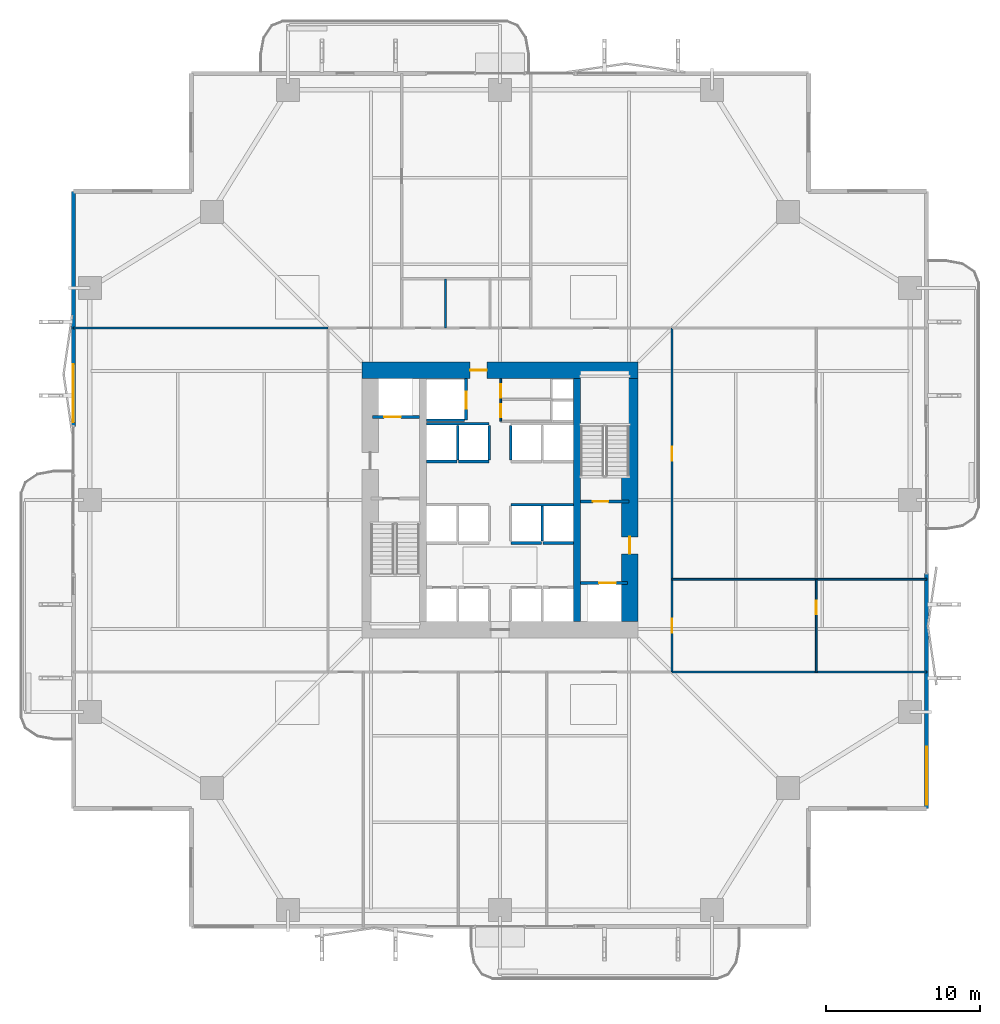
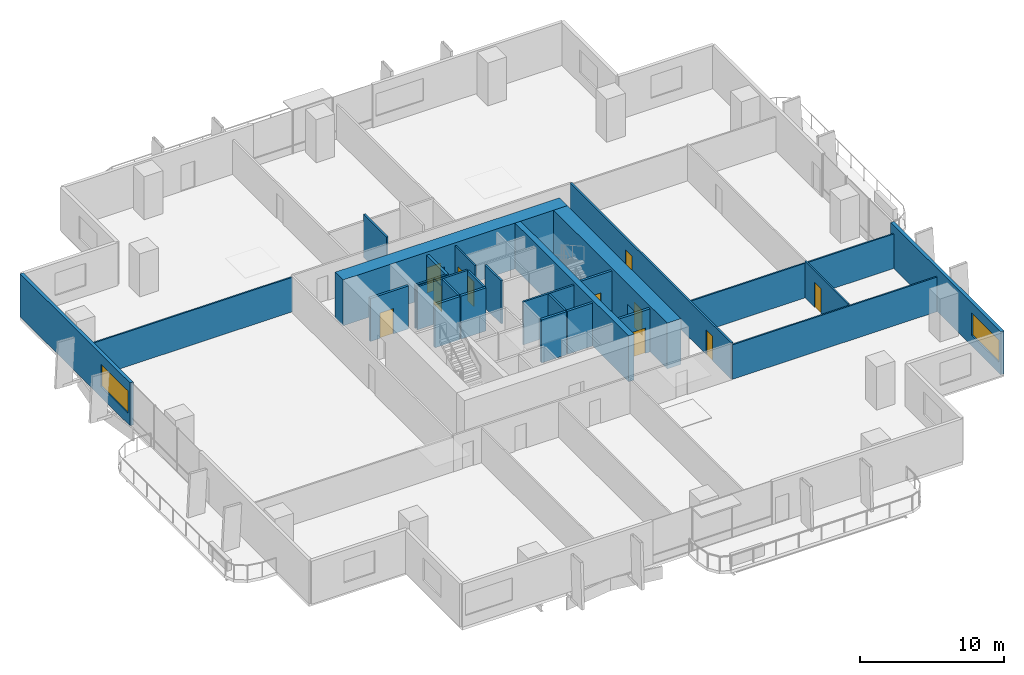
# One storey, part 18 of 24: 27 walls, 11 doors, 2 windows, 13 openings.
"""IFC4 building model written with IfcOpenShell, lengths in metres."""

from ifc_helpers import new_model, si_unit, direction, frame, frame_2d, origin, place, context, subcontext, project, spatial, rectangle, extrude, material, layer, layer_set, type_object, element, fill, save


model = new_model("IFC4")

# Units and contexts
model_context = context("Model", 3, precision=1e-05, world=origin(), true_north=direction((0.0, 1.0)))
body_context = subcontext(model_context, "Body", "Model", "MODEL_VIEW")
ifc_project = project(units=[si_unit("LENGTHUNIT", "METRE"), si_unit("AREAUNIT", "SQUARE_METRE"), si_unit("VOLUMEUNIT", "CUBIC_METRE"), si_unit("PLANEANGLEUNIT", "RADIAN"), si_unit("MASSUNIT", "GRAM", prefix="KILO")], contexts=[model_context])

# Site, building, storey
site_placement = place(None, origin())
site = spatial("IfcSite", under=ifc_project, at=site_placement, CompositionType="ELEMENT")
building_placement = place(site_placement, origin())
building = spatial("IfcBuilding", under=site, at=building_placement, Name="Belovzor Exchange Tower", CompositionType="ELEMENT")
storey_placement = place(building_placement, frame((0.0, 0.0, 69.0)))
storey = spatial("IfcBuildingStorey", under=building, at=storey_placement, Name="L16", CompositionType="ELEMENT", Elevation=69.0)

# Walls
ifc_material_1 = material(Name="Acoustic Plasterboard on Galvanised Studs", Category="gypsum")
ifc_layer_1 = layer(ifc_material_1, 0.1201171875)
ifc_layer_set_1 = layer_set([ifc_layer_1], Name="Acoustic Plasterboard on Galvanised Studs")
wall_type_1 = type_object("IfcWallType", Name="Acoustic Double-Stud Partition Wall 120", PredefinedType="PARTITIONING", material=ifc_layer_set_1)
for number, where, z_axis, x_axis, name in (
    (1, (40.0, 17.60009765625, 0.0), (0.0, 0.0, 1.0), (1.0, 0.0, 0.0), "W-P120 Partition Wall W-L16-END-SE"),
    (2, (1.030029296875, 40.0, 0.0), (0.0, 0.0, 1.0), (1.0, 0.0, 0.0), "W-P120 Partition Wall W-L16-END-NW"),
):
    element("IfcWall", number, at=place(storey_placement, frame(where, z_axis=z_axis, x_axis=x_axis)), inside=storey, type_object=wall_type_1, Name=name, PredefinedType="PARTITIONING", context=body_context, shape_type="SweptSolid", body=[
        extrude(rectangle(XDim=16.570068359375, YDim=0.1201171875, at=frame_2d((8.28515625, 0.0))), origin(), (0.0, 0.0, 1.0), 2.93505859375),
    ])

# Wall, opening, door
wall_1_placement = place(storey_placement, frame((49.387939453125, 17.60009765625, 0.0), z_axis=(0.0, 0.0, 1.0), x_axis=(0.0, 1.0, 0.0)))
wall_1 = element("IfcWall", 3, at=wall_1_placement, inside=storey, type_object=wall_type_1, Name="W-P120 Partition Wall W-L16-EHDIV-0", PredefinedType="PARTITIONING", context=body_context, shape_type="SweptSolid", body=[
    extrude(rectangle(XDim=6.037841796875, YDim=0.1201171875, at=frame_2d((3.01904296875, 0.0))), origin(), (0.0, 0.0, 1.0), 3.0849609375),
])
opening_1_placement = place(wall_1_placement, frame((3.7529296875, 0.0, 0.0)))
opening_1 = element("IfcOpeningElement", 4, at=opening_1_placement, cuts=wall_1, Name="Opening D-INT-090", PredefinedType="OPENING", context=body_context, shape_type="SweptSolid", body=[
    extrude(rectangle(XDim=0.89990234375, YDim=2.10009765625, at=frame_2d((0.449951171875, 1.050048828125))), frame((0.0, 0.070068359375, 0.0), z_axis=(0.0, -1.0, 0.0), x_axis=(1.0, 0.0, 0.0)), (0.0, 0.0, 1.0), 0.14013671875),
])
ifc_material_2 = material(Name="Veneered Hardwood Acoustic Leaf", Category="wood")
door_type_1 = type_object("IfcDoorType", Name="Trading Suite Acoustic Single Door 900x2100", OperationType="NOTDEFINED", PredefinedType="DOOR", material=ifc_material_2)
door_1_placement = place(opening_1_placement, origin())
door_1 = element("IfcDoor", 5, at=door_1_placement, inside=storey, type_object=door_type_1, Name="D-INT-090 Trading Suite Acoustic Single Door 900x2100", OperationType="SINGLE_SWING_RIGHT", OverallHeight=2.10009765625, OverallWidth=0.89990234375, PredefinedType="DOOR", context=body_context, shape_type="SweptSolid", body=[
    extrude(rectangle(XDim=0.89990234375, YDim=2.10009765625, at=frame_2d((0.449951171875, 1.050048828125))), frame((0.0, 0.02490234375, 0.0), z_axis=(0.0, -1.0, 0.0), x_axis=(1.0, 0.0, 0.0)), (0.0, 0.0, 1.0), 0.050048828125),
])
fill(opening_1, door_1)

# Wall
wall_2_placement = place(storey_placement, frame((40.0, 23.637939453125, 0.0), z_axis=(0.0, 0.0, 1.0), x_axis=(1.0, 0.0, 0.0)))
element("IfcWall", 6, at=wall_2_placement, inside=storey, type_object=wall_type_1, Name="W-P120 Partition Wall W-L16-EDIV-1", PredefinedType="PARTITIONING", context=body_context, shape_type="SweptSolid", body=[
    extrude(rectangle(XDim=16.570068359375, YDim=0.1201171875, at=frame_2d((8.28515625, 0.0))), origin(), (0.0, 0.0, 1.0), 2.93505859375),
])

# Wall, openings, doors
ifc_material_3 = material(Name="Fire-Rated Plasterboard on Galvanised Studs", Category="gypsum")
ifc_layer_2 = layer(ifc_material_3, 0.1201171875)
ifc_layer_set_2 = layer_set([ifc_layer_2], Name="Fire-Rated Plasterboard on Galvanised Studs")
wall_type_2 = type_object("IfcWallType", Name="Fire-Rated Double-Stud Partition Wall 120", PredefinedType="PARTITIONING", material=ifc_layer_set_2)
wall_3_placement = place(storey_placement, frame((28.85009765625, 33.925048828125, 0.0), z_axis=(0.0, 0.0, 1.0), x_axis=(0.0, 1.0, 0.0)))
wall_3 = element("IfcWall", 7, at=wall_3_placement, inside=storey, type_object=wall_type_2, Name="W-P120F Partition Wall W-CRV-L16-W", PredefinedType="PARTITIONING", context=body_context, shape_type="SweptSolid", body=[
    extrude(rectangle(XDim=2.77490234375, YDim=0.1201171875, at=frame_2d((1.387451171875, 0.0))), origin(), (0.0, 0.0, 1.0), 3.64990234375),
])
opening_2_placement = place(wall_3_placement, frame((0.25, 0.0, 0.0)))
opening_2 = element("IfcOpeningElement", 8, at=opening_2_placement, cuts=wall_3, Name="Opening D-FD60-085", PredefinedType="OPENING", context=body_context, shape_type="SweptSolid", body=[
    extrude(rectangle(XDim=0.85009765625, YDim=2.10009765625, at=frame_2d((0.425048828125, 1.050048828125))), frame((0.0, 0.070068359375, 0.0), z_axis=(0.0, -1.0, 0.0), x_axis=(1.0, 0.0, 0.0)), (0.0, 0.0, 1.0), 0.14013671875),
])
opening_3_placement = place(wall_3_placement, frame((1.544921875, 0.0, 0.0)))
opening_3 = element("IfcOpeningElement", 9, at=opening_3_placement, cuts=wall_3, Name="Opening D-FD60-085", PredefinedType="OPENING", context=body_context, shape_type="SweptSolid", body=[
    extrude(rectangle(XDim=0.85009765625, YDim=2.10009765625, at=frame_2d((0.425048828125, 1.050048828125))), frame((0.0, 0.070068359375, 0.0), z_axis=(0.0, -1.0, 0.0), x_axis=(1.0, 0.0, 0.0)), (0.0, 0.0, 1.0), 0.14013671875),
])
ifc_material_4 = material(Name="Fire-Rated Steel Access Leaf", Category="steel")
door_type_2 = type_object("IfcDoorType", Name="Riser & Meter Closet Access Fire Door 850x2100", OperationType="NOTDEFINED", PredefinedType="DOOR", material=ifc_material_4)
door_2_placement = place(opening_2_placement, origin())
door_2 = element("IfcDoor", 10, at=door_2_placement, inside=storey, type_object=door_type_2, Name="D-FD60-085 Riser & Meter Closet Access Fire Door 850x2100", OperationType="SINGLE_SWING_LEFT", OverallHeight=2.10009765625, OverallWidth=0.85009765625, PredefinedType="DOOR", context=body_context, shape_type="SweptSolid", body=[
    extrude(rectangle(XDim=0.85009765625, YDim=2.10009765625, at=frame_2d((0.425048828125, 1.050048828125))), frame((0.0, 0.02490234375, 0.0), z_axis=(0.0, -1.0, 0.0), x_axis=(1.0, 0.0, 0.0)), (0.0, 0.0, 1.0), 0.050048828125),
])
fill(opening_2, door_2)
door_3_placement = place(opening_3_placement, origin())
door_3 = element("IfcDoor", 11, at=door_3_placement, inside=storey, type_object=door_type_2, Name="D-FD60-085 Riser & Meter Closet Access Fire Door 850x2100", OperationType="SINGLE_SWING_RIGHT", OverallHeight=2.10009765625, OverallWidth=0.85009765625, PredefinedType="DOOR", context=body_context, shape_type="SweptSolid", body=[
    extrude(rectangle(XDim=0.85009765625, YDim=2.10009765625, at=frame_2d((0.425048828125, 1.050048828125))), frame((0.0, 0.02490234375, 0.0), z_axis=(0.0, -1.0, 0.0), x_axis=(1.0, 0.0, 0.0)), (0.0, 0.0, 1.0), 0.050048828125),
])
fill(opening_3, door_3)

# Wall
ifc_material_5 = material(Name="Fire-Rated Gypsum Block and Mineral Wool", Category="gypsum")
ifc_layer_3 = layer(ifc_material_5, 0.14990234375)
ifc_layer_set_3 = layer_set([ifc_layer_3], Name="Fire-Rated Gypsum Block and Mineral Wool")
wall_type_3 = type_object("IfcWallType", Name="Fire-Rated Gypsum Block Corridor Wall 150", PredefinedType="PARTITIONING", material=ifc_layer_set_3)
wall_4_placement = place(storey_placement, frame((25.25, 40.0, 0.0), z_axis=(0.0, 0.0, 1.0), x_axis=(0.0, 1.0, 0.0)))
element("IfcWall", 12, at=wall_4_placement, inside=storey, type_object=wall_type_3, Name="W-P150 Partition Wall W-L16-WCD1", PredefinedType="PARTITIONING", context=body_context, shape_type="SweptSolid", body=[
    extrude(rectangle(XDim=3.199951171875, YDim=0.14990234375, at=frame_2d((1.60009765625, 0.0))), origin(), (0.0, 0.0, 1.0), 3.64990234375),
])

# Wall, openings, doors
wall_5_placement = place(storey_placement, frame((40.0, 17.60009765625, 0.0), z_axis=(0.0, 0.0, 1.0), x_axis=(0.0, 1.0, 0.0)))
wall_5 = element("IfcWall", 13, at=wall_5_placement, inside=storey, type_object=wall_type_3, Name="W-P150 Partition Wall W-L16-CE", PredefinedType="PARTITIONING", context=body_context, shape_type="SweptSolid", body=[
    extrude(rectangle(XDim=22.39990234375, YDim=0.14990234375, at=frame_2d((11.199951171875, 0.0))), origin(), (0.0, 0.0, 1.0), 3.0849609375),
])
opening_4_placement = place(wall_5_placement, frame((2.569091796875, 0.0, 0.0)))
opening_4 = element("IfcOpeningElement", 14, at=opening_4_placement, cuts=wall_5, Name="Opening D-INT-090", PredefinedType="OPENING", context=body_context, shape_type="SweptSolid", body=[
    extrude(rectangle(XDim=0.89990234375, YDim=2.10009765625, at=frame_2d((0.449951171875, 1.050048828125))), frame((0.0, 0.0849609375, 0.0), z_axis=(0.0, -1.0, 0.0), x_axis=(1.0, 0.0, 0.0)), (0.0, 0.0, 1.0), 0.169921875),
])
opening_5_placement = place(wall_5_placement, frame((13.76904296875, 0.0, 0.0)))
opening_5 = element("IfcOpeningElement", 15, at=opening_5_placement, cuts=wall_5, Name="Opening D-INT-090", PredefinedType="OPENING", context=body_context, shape_type="SweptSolid", body=[
    extrude(rectangle(XDim=0.89990234375, YDim=2.10009765625, at=frame_2d((0.449951171875, 1.050048828125))), frame((0.0, 0.0849609375, 0.0), z_axis=(0.0, -1.0, 0.0), x_axis=(1.0, 0.0, 0.0)), (0.0, 0.0, 1.0), 0.169921875),
])
door_4_placement = place(opening_4_placement, origin())
door_4 = element("IfcDoor", 16, at=door_4_placement, inside=storey, type_object=door_type_1, Name="D-INT-090 Trading Suite Acoustic Single Door 900x2100", OperationType="SINGLE_SWING_LEFT", OverallHeight=2.10009765625, OverallWidth=0.89990234375, PredefinedType="DOOR", context=body_context, shape_type="SweptSolid", body=[
    extrude(rectangle(XDim=0.89990234375, YDim=2.10009765625, at=frame_2d((0.449951171875, 1.050048828125))), frame((0.0, 0.02490234375, 0.0), z_axis=(0.0, -1.0, 0.0), x_axis=(1.0, 0.0, 0.0)), (0.0, 0.0, 1.0), 0.050048828125),
])
fill(opening_4, door_4)
door_5_placement = place(opening_5_placement, origin())
door_5 = element("IfcDoor", 17, at=door_5_placement, inside=storey, type_object=door_type_1, Name="D-INT-090 Trading Suite Acoustic Single Door 900x2100", OperationType="SINGLE_SWING_RIGHT", OverallHeight=2.10009765625, OverallWidth=0.89990234375, PredefinedType="DOOR", context=body_context, shape_type="SweptSolid", body=[
    extrude(rectangle(XDim=0.89990234375, YDim=2.10009765625, at=frame_2d((0.449951171875, 1.050048828125))), frame((0.0, 0.02490234375, 0.0), z_axis=(0.0, -1.0, 0.0), x_axis=(1.0, 0.0, 0.0)), (0.0, 0.0, 1.0), 0.050048828125),
])
fill(opening_5, door_5)

# Wall, opening, window
ifc_material_6 = material(Name="Precast concrete C40/50", Category="concrete")
ifc_layer_4 = layer(ifc_material_6, 0.260009765625)
ifc_layer_set_4 = layer_set([ifc_layer_4], Name="Precast concrete C40/50")
wall_type_4 = type_object("IfcWallType", Name="Precast Concrete Perimeter Loggia Frame Wall 260", PredefinedType="SOLIDWALL", material=ifc_layer_set_4)
wall_6_placement = place(storey_placement, frame((1.030029296875, 33.60009765625, 0.0), z_axis=(0.0, 0.0, 1.0), x_axis=(0.0, 1.0, 0.0)))
wall_6 = element("IfcWall", 18, at=wall_6_placement, inside=storey, type_object=wall_type_4, Name="W-EXT260 Precast Concrete Perimeter Loggia Frame Wall 260 L16", PredefinedType="SOLIDWALL", context=body_context, shape_type="SweptSolid", body=[
    extrude(rectangle(XDim=15.2998046875, YDim=0.260009765625, at=frame_2d((7.64990234375, 0.0))), origin(), (0.0, 0.0, 1.0), 3.64990234375),
])
opening_6_placement = place(wall_6_placement, frame((0.25, 0.0, 0.89990234375)))
opening_6 = element("IfcOpeningElement", 19, at=opening_6_placement, cuts=wall_6, Name="Opening WN-RIB380", PredefinedType="OPENING", context=body_context, shape_type="SweptSolid", body=[
    extrude(rectangle(XDim=3.800048828125, YDim=1.89990234375, at=frame_2d((1.89990234375, 0.949951171875))), frame((0.0, 0.139892578125, 0.0), z_axis=(0.0, -1.0, 0.0), x_axis=(1.0, 0.0, 0.0)), (0.0, 0.0, 1.0), 0.280029296875),
])
ifc_material_7 = material(Name="Thermally Broken Aluminium and Triple Glazing", Category="aluminium")
window_type = type_object("IfcWindowType", Name="Streamline Moderne Horizontal Ribbon Window 3800x1900", PartitioningType="SINGLE_PANEL", PredefinedType="WINDOW", material=ifc_material_7)
window_1_placement = place(opening_6_placement, origin())
window_1 = element("IfcWindow", 20, at=window_1_placement, inside=storey, type_object=window_type, Name="WN-RIB380 Streamline Moderne Horizontal Ribbon Window 3800x1900", OverallHeight=1.89990234375, OverallWidth=3.800048828125, PartitioningType="SINGLE_PANEL", PredefinedType="WINDOW", context=body_context, shape_type="SweptSolid", body=[
    extrude(rectangle(XDim=3.800048828125, YDim=1.89990234375, at=frame_2d((1.89990234375, 0.949951171875))), frame((0.0, 0.030029296875, 0.0), z_axis=(0.0, -1.0, 0.0), x_axis=(1.0, 0.0, 0.0)), (0.0, 0.0, 1.0), 0.06005859375),
])
fill(opening_6, window_1)

wall_7_placement = place(storey_placement, frame((56.570068359375, 24.0, 0.0), z_axis=(0.0, 0.0, 1.0), x_axis=(0.0, -1.0, 0.0)))
wall_7 = element("IfcWall", 21, at=wall_7_placement, inside=storey, type_object=wall_type_4, Name="W-EXT260 Precast Concrete Perimeter Loggia Frame Wall 260 L16", PredefinedType="SOLIDWALL", context=body_context, shape_type="SweptSolid", body=[
    extrude(rectangle(XDim=15.300048828125, YDim=0.260009765625, at=frame_2d((7.64990234375, 0.0))), origin(), (0.0, 0.0, 1.0), 3.64990234375),
])
opening_7_placement = place(wall_7_placement, frame((11.25, 0.0, 0.89990234375)))
opening_7 = element("IfcOpeningElement", 22, at=opening_7_placement, cuts=wall_7, Name="Opening WN-RIB380", PredefinedType="OPENING", context=body_context, shape_type="SweptSolid", body=[
    extrude(rectangle(XDim=3.800048828125, YDim=1.89990234375, at=frame_2d((1.89990234375, 0.949951171875))), frame((0.0, 0.139892578125, 0.0), z_axis=(0.0, -1.0, 0.0), x_axis=(1.0, 0.0, 0.0)), (0.0, 0.0, 1.0), 0.280029296875),
])
window_2_placement = place(opening_7_placement, origin())
window_2 = element("IfcWindow", 23, at=window_2_placement, inside=storey, type_object=window_type, Name="WN-RIB380 Streamline Moderne Horizontal Ribbon Window 3800x1900", OverallHeight=1.89990234375, OverallWidth=3.800048828125, PartitioningType="SINGLE_PANEL", PredefinedType="WINDOW", context=body_context, shape_type="SweptSolid", body=[
    extrude(rectangle(XDim=3.800048828125, YDim=1.89990234375, at=frame_2d((1.89990234375, 0.949951171875))), frame((0.0, 0.030029296875, 0.0), z_axis=(0.0, -1.0, 0.0), x_axis=(1.0, 0.0, 0.0)), (0.0, 0.0, 1.0), 0.06005859375),
])
fill(opening_7, window_2)

# Walls
ifc_material_8 = material(Name="Concrete C50/60", Category="concrete")
ifc_layer_5 = layer(ifc_material_8, 0.449951171875)
ifc_layer_set_5 = layer_set([ifc_layer_5], Name="Concrete C50/60")
wall_type_5 = type_object("IfcWallType", Name="Reinforced Concrete Core Internal Web Wall 450", PredefinedType="SHEAR", material=ifc_layer_set_5)
wall_8_placement = place(storey_placement, frame((33.824951171875, 20.89990234375, 0.0), z_axis=(0.0, 0.0, 1.0), x_axis=(0.0, 1.0, 0.0)))
element("IfcWall", 24, at=wall_8_placement, inside=storey, type_object=wall_type_5, Name="CW-W045 Core Internal Web Wall L16 ER", PredefinedType="SHEAR", context=body_context, shape_type="SweptSolid", body=[
    extrude(rectangle(XDim=15.800048828125, YDim=0.449951171875, at=frame_2d((7.89990234375, 0.0))), origin(), (0.0, 0.0, 1.0), 3.89990234375),
])
ifc_material_9 = material(Name="Concrete C50/60", Category="concrete")
ifc_layer_6 = layer(ifc_material_9, 0.14990234375)
ifc_layer_set_6 = layer_set([ifc_layer_6], Name="Concrete C50/60")
wall_type_6 = type_object("IfcWallType", Name="Reinforced Concrete Core Riser Shear Wall 150", PredefinedType="SHEAR", material=ifc_layer_set_6)
wall_9_placement = place(storey_placement, frame((24.0, 34.0, 0.0), z_axis=(0.0, 0.0, 1.0), x_axis=(1.0, 0.0, 0.0)))
element("IfcWall", 25, at=wall_9_placement, inside=storey, type_object=wall_type_6, Name="W-C150S Core Shaft Wall W-SH-L16-SL-01S", PredefinedType="SHEAR", context=body_context, shape_type="SweptSolid", body=[
    extrude(rectangle(XDim=2.47998046875, YDim=0.14990234375, at=frame_2d((1.239990234375, 0.0))), origin(), (0.0, 0.0, 1.0), 3.64990234375),
])
wall_10_placement = place(storey_placement, frame((29.5, 28.5, 0.0), z_axis=(0.0, 0.0, 1.0), x_axis=(1.0, 0.0, 0.0)))
element("IfcWall", 26, at=wall_10_placement, inside=storey, type_object=wall_type_6, Name="W-C150S Core Shaft Wall W-SHB-L16-PLM-NE", PredefinedType="SHEAR", context=body_context, shape_type="SweptSolid", body=[
    extrude(rectangle(XDim=4.080078125, YDim=0.14990234375, at=frame_2d((2.0400390625, 0.0))), origin(), (0.0, 0.0, 1.0), 3.64990234375),
])
wall_11_placement = place(storey_placement, frame((31.550048828125, 26.1201171875, 0.0), z_axis=(0.0, 0.0, 1.0), x_axis=(0.0, 1.0, 0.0)))
element("IfcWall", 27, at=wall_11_placement, inside=storey, type_object=wall_type_6, Name="W-C150S Core Shaft Wall W-SHD-L16-PLM-4", PredefinedType="SHEAR", context=body_context, shape_type="SweptSolid", body=[
    extrude(rectangle(XDim=2.27978515625, YDim=0.14990234375, at=frame_2d((1.139892578125, 0.0))), origin(), (0.0, 0.0, 1.0), 3.64990234375),
])
wall_12_placement = place(storey_placement, frame((24.02001953125, 33.760009765625, 0.0), z_axis=(0.0, 0.0, 1.0), x_axis=(1.0, 0.0, 0.0)))
element("IfcWall", 28, at=wall_12_placement, inside=storey, type_object=wall_type_6, Name="W-C150S Core Shaft Wall W-SHB-L16-PLH-NW", PredefinedType="SHEAR", context=body_context, shape_type="SweptSolid", body=[
    extrude(rectangle(XDim=4.080078125, YDim=0.14990234375, at=frame_2d((2.0400390625, 0.0))), origin(), (0.0, 0.0, 1.0), 3.64990234375),
])
for number, where, z_axis, x_axis, name in (
    (29, (26.050048828125, 31.419921875, 0.0), (0.0, 0.0, 1.0), (0.0, 1.0, 0.0), "W-C150S Core Shaft Wall W-SHD-L16-PLH-1"),
    (30, (28.10009765625, 31.419921875, 0.0), (0.0, 0.0, 1.0), (0.0, 1.0, 0.0), "W-C150S Core Shaft Wall W-SHD-L16-PLH-2"),
    (31, (29.5, 31.419921875, 0.0), (0.0, 0.0, 1.0), (0.0, 1.0, 0.0), "W-C150S Core Shaft Wall W-SHD-L16-PLH-3"),
):
    element("IfcWall", number, at=place(storey_placement, frame(where, z_axis=z_axis, x_axis=x_axis)), inside=storey, type_object=wall_type_6, Name=name, PredefinedType="SHEAR", context=body_context, shape_type="SweptSolid", body=[
        extrude(rectangle(XDim=2.239990234375, YDim=0.14990234375, at=frame_2d((1.1201171875, 0.0))), origin(), (0.0, 0.0, 1.0), 3.64990234375),
    ])

# Wall, opening, door
ifc_material_10 = material(Name="Concrete C50/60", Category="concrete")
ifc_layer_7 = layer(ifc_material_10, 0.199951171875)
ifc_layer_set_7 = layer_set([ifc_layer_7], Name="Concrete C50/60")
wall_type_7 = type_object("IfcWallType", Name="Reinforced Concrete Core Shaft Shear Wall 200", PredefinedType="SHEAR", material=ifc_layer_set_7)
wall_13_placement = place(storey_placement, frame((34.050048828125, 28.699951171875, 0.0), z_axis=(0.0, 0.0, 1.0), x_axis=(1.0, 0.0, 0.0)))
wall_13 = element("IfcWall", 32, at=wall_13_placement, inside=storey, type_object=wall_type_7, Name="W-C200S Core Shaft Wall W-CORE-L16-FFLE2", PredefinedType="SHEAR", context=body_context, shape_type="SweptSolid", body=[
    extrude(rectangle(XDim=3.14990234375, YDim=0.199951171875, at=frame_2d((1.574951171875, 0.0))), origin(), (0.0, 0.0, 1.0), 3.64990234375),
])
opening_8_placement = place(wall_13_placement, frame((0.800048828125, 0.0, 0.0)))
opening_8 = element("IfcOpeningElement", 33, at=opening_8_placement, cuts=wall_13, Name="Opening D-FD90-100", PredefinedType="OPENING", context=body_context, shape_type="SweptSolid", body=[
    extrude(rectangle(XDim=1.0, YDim=2.10009765625, at=frame_2d((0.5, 1.050048828125))), frame((0.0, 0.10986328125, 0.0), z_axis=(0.0, -1.0, 0.0), x_axis=(1.0, 0.0, 0.0)), (0.0, 0.0, 1.0), 0.219970703125),
])
ifc_material_11 = material(Name="Fire-Rated Galvanised Steel Leaf", Category="steel")
door_type_3 = type_object("IfcDoorType", Name="Protected Stairwell Single Fire Door 1000x2100", OperationType="NOTDEFINED", PredefinedType="DOOR", material=ifc_material_11)
door_6_placement = place(opening_8_placement, origin())
door_6 = element("IfcDoor", 34, at=door_6_placement, inside=storey, type_object=door_type_3, Name="D-FD90-100 Protected Stairwell Single Fire Door 1000x2100", OperationType="SINGLE_SWING_LEFT", OverallHeight=2.10009765625, OverallWidth=1.0, PredefinedType="DOOR", context=body_context, shape_type="SweptSolid", body=[
    extrude(rectangle(XDim=1.0, YDim=2.10009765625, at=frame_2d((0.5, 1.050048828125))), frame((0.0, 0.02490234375, 0.0), z_axis=(0.0, -1.0, 0.0), x_axis=(1.0, 0.0, 0.0)), (0.0, 0.0, 1.0), 0.050048828125),
])
fill(opening_8, door_6)

wall_14_placement = place(storey_placement, frame((20.5, 34.199951171875, 0.0), z_axis=(0.0, 0.0, 1.0), x_axis=(1.0, 0.0, 0.0)))
wall_14 = element("IfcWall", 35, at=wall_14_placement, inside=storey, type_object=wall_type_7, Name="W-C200S Core Shaft Wall W-SH-L16-FFL-01", PredefinedType="SHEAR", context=body_context, shape_type="SweptSolid", body=[
    extrude(rectangle(XDim=3.050048828125, YDim=0.199951171875, at=frame_2d((1.52490234375, 0.0))), origin(), (0.0, 0.0, 1.0), 3.64990234375),
])
opening_9_placement = place(wall_14_placement, frame((0.75, 0.0, 0.0)))
opening_9 = element("IfcOpeningElement", 36, at=opening_9_placement, cuts=wall_14, Name="Opening LD-110", PredefinedType="OPENING", context=body_context, shape_type="SweptSolid", body=[
    extrude(rectangle(XDim=1.10009765625, YDim=2.14990234375, at=frame_2d((0.550048828125, 1.074951171875))), frame((0.0, 0.10986328125, 0.0), z_axis=(0.0, -1.0, 0.0), x_axis=(1.0, 0.0, 0.0)), (0.0, 0.0, 1.0), 0.219970703125),
])
ifc_material_12 = material(Name="Stainless Steel Grade 304", Category="steel")
door_type_4 = type_object("IfcDoorType", Name="Automated Stainless Steel Lift Landing Door 1100x2150", OperationType="SLIDING_TO_RIGHT", PredefinedType="DOOR", material=ifc_material_12)
door_7_placement = place(opening_9_placement, origin())
door_7 = element("IfcDoor", 37, at=door_7_placement, inside=storey, type_object=door_type_4, Name="LD-110 Automated Stainless Steel Lift Landing Door 1100x2150", OperationType="SLIDING_TO_RIGHT", OverallHeight=2.14990234375, OverallWidth=1.10009765625, PredefinedType="DOOR", context=body_context, shape_type="SweptSolid", body=[
    extrude(rectangle(XDim=1.10009765625, YDim=2.14990234375, at=frame_2d((0.550048828125, 1.074951171875))), frame((0.0, 0.02490234375, 0.0), z_axis=(0.0, -1.0, 0.0), x_axis=(1.0, 0.0, 0.0)), (0.0, 0.0, 1.0), 0.050048828125),
])
fill(opening_9, door_7)

wall_15_placement = place(storey_placement, frame((34.050048828125, 23.39990234375, 0.0), z_axis=(0.0, 0.0, 1.0), x_axis=(1.0, 0.0, 0.0)))
wall_15 = element("IfcWall", 38, at=wall_15_placement, inside=storey, type_object=wall_type_7, Name="W-C200S Core Shaft Wall W-SH-L16-FFL-02", PredefinedType="SHEAR", context=body_context, shape_type="SweptSolid", body=[
    extrude(rectangle(XDim=3.050048828125, YDim=0.199951171875, at=frame_2d((1.52490234375, 0.0))), origin(), (0.0, 0.0, 1.0), 3.64990234375),
])
opening_10_placement = place(wall_15_placement, frame((1.199951171875, 0.0, 0.0)))
opening_10 = element("IfcOpeningElement", 39, at=opening_10_placement, cuts=wall_15, Name="Opening LD-110", PredefinedType="OPENING", context=body_context, shape_type="SweptSolid", body=[
    extrude(rectangle(XDim=1.10009765625, YDim=2.14990234375, at=frame_2d((0.550048828125, 1.074951171875))), frame((0.0, 0.10986328125, 0.0), z_axis=(0.0, -1.0, 0.0), x_axis=(1.0, 0.0, 0.0)), (0.0, 0.0, 1.0), 0.219970703125),
])
door_8_placement = place(opening_10_placement, origin())
door_8 = element("IfcDoor", 40, at=door_8_placement, inside=storey, type_object=door_type_4, Name="LD-110 Automated Stainless Steel Lift Landing Door 1100x2150", OperationType="SLIDING_TO_RIGHT", OverallHeight=2.14990234375, OverallWidth=1.10009765625, PredefinedType="DOOR", context=body_context, shape_type="SweptSolid", body=[
    extrude(rectangle(XDim=1.10009765625, YDim=2.14990234375, at=frame_2d((0.550048828125, 1.074951171875))), frame((0.0, 0.02490234375, 0.0), z_axis=(0.0, -1.0, 0.0), x_axis=(1.0, 0.0, 0.0)), (0.0, 0.0, 1.0), 0.050048828125),
])
fill(opening_10, door_8)

wall_16_placement = place(storey_placement, frame((26.60009765625, 34.0, 0.0), z_axis=(0.0, 0.0, 1.0), x_axis=(0.0, 1.0, 0.0)))
wall_16 = element("IfcWall", 41, at=wall_16_placement, inside=storey, type_object=wall_type_7, Name="W-C200S Core Shaft Wall W-SH-L16-SL-01", PredefinedType="SHEAR", context=body_context, shape_type="SweptSolid", body=[
    extrude(rectangle(XDim=2.699951171875, YDim=0.199951171875, at=frame_2d((1.35009765625, 0.0))), origin(), (0.0, 0.0, 1.0), 3.64990234375),
])
opening_11_placement = place(wall_16_placement, frame((0.75, 0.0, 0.0)))
opening_11 = element("IfcOpeningElement", 42, at=opening_11_placement, cuts=wall_16, Name="Opening LD-110", PredefinedType="OPENING", context=body_context, shape_type="SweptSolid", body=[
    extrude(rectangle(XDim=1.10009765625, YDim=2.14990234375, at=frame_2d((0.550048828125, 1.074951171875))), frame((0.0, 0.10986328125, 0.0), z_axis=(0.0, -1.0, 0.0), x_axis=(1.0, 0.0, 0.0)), (0.0, 0.0, 1.0), 0.219970703125),
])
door_9_placement = place(opening_11_placement, origin())
door_9 = element("IfcDoor", 43, at=door_9_placement, inside=storey, type_object=door_type_4, Name="LD-110 Automated Stainless Steel Lift Landing Door 1100x2150", OperationType="SLIDING_TO_RIGHT", OverallHeight=2.14990234375, OverallWidth=1.10009765625, PredefinedType="DOOR", context=body_context, shape_type="SweptSolid", body=[
    extrude(rectangle(XDim=1.10009765625, YDim=2.14990234375, at=frame_2d((0.550048828125, 1.074951171875))), frame((0.0, 0.02490234375, 0.0), z_axis=(0.0, -1.0, 0.0), x_axis=(1.0, 0.0, 0.0)), (0.0, 0.0, 1.0), 0.050048828125),
])
fill(opening_11, door_9)

# Walls
for number, where, z_axis, x_axis, name in (
    (44, (29.5, 26.0, 0.0), (0.0, 0.0, 1.0), (1.0, 0.0, 0.0), "W-C200S Core Shaft Wall W-SH-L16-PL-M3"),
    (45, (31.60009765625, 26.0, 0.0), (0.0, 0.0, 1.0), (1.0, 0.0, 0.0), "W-C200S Core Shaft Wall W-SH-L16-PL-M4"),
    (46, (24.0, 31.300048828125, 0.0), (0.0, 0.0, 1.0), (1.0, 0.0, 0.0), "W-C200S Core Shaft Wall W-SH-L16-PL-H1"),
    (47, (26.10009765625, 31.300048828125, 0.0), (0.0, 0.0, 1.0), (1.0, 0.0, 0.0), "W-C200S Core Shaft Wall W-SH-L16-PL-H2"),
):
    element("IfcWall", number, at=place(storey_placement, frame(where, z_axis=z_axis, x_axis=x_axis)), inside=storey, type_object=wall_type_7, Name=name, PredefinedType="SHEAR", context=body_context, shape_type="SweptSolid", body=[
        extrude(rectangle(XDim=2.0, YDim=0.199951171875, at=frame_2d((1.0, 0.0))), origin(), (0.0, 0.0, 1.0), 3.64990234375),
    ])

# Wall, opening, door
ifc_material_13 = material(Name="Concrete C60/75", Category="concrete")
ifc_layer_8 = layer(ifc_material_13, 1.10009765625)
ifc_layer_set_8 = layer_set([ifc_layer_8], Name="Concrete C60/75")
wall_type_8 = type_object("IfcWallType", Name="Reinforced Concrete Core Shear Wall 1100", PredefinedType="SHEAR", material=ifc_layer_set_8)
wall_17_placement = place(storey_placement, frame((19.800048828125, 37.25, 0.0), z_axis=(0.0, 0.0, 1.0), x_axis=(1.0, 0.0, 0.0)))
wall_17 = element("IfcWall", 48, at=wall_17_placement, inside=storey, type_object=wall_type_8, Name="CW-S110 Core Shear Wall L16 N", PredefinedType="SHEAR", context=body_context, shape_type="SweptSolid", body=[
    extrude(rectangle(XDim=18.0, YDim=1.10009765625, at=frame_2d((9.0, 0.0))), origin(), (0.0, 0.0, 1.0), 3.89990234375),
])
opening_12_placement = place(wall_17_placement, frame((7.050048828125, 0.0, 0.0)))
opening_12 = element("IfcOpeningElement", 49, at=opening_12_placement, cuts=wall_17, Name="Opening D-FD90-110", PredefinedType="OPENING", context=body_context, shape_type="SweptSolid", body=[
    extrude(rectangle(XDim=1.10009765625, YDim=2.14990234375, at=frame_2d((0.550048828125, 1.074951171875))), frame((0.0, 0.56005859375, 0.0), z_axis=(0.0, -1.0, 0.0), x_axis=(1.0, 0.0, 0.0)), (0.0, 0.0, 1.0), 1.1201171875),
])
ifc_material_14 = material(Name="Fire-Rated Galvanised Steel Leaf", Category="steel")
door_type_5 = type_object("IfcDoorType", Name="Protected Escape Vestibule Fire Door 1100x2150", OperationType="NOTDEFINED", PredefinedType="DOOR", material=ifc_material_14)
door_10_placement = place(opening_12_placement, origin())
door_10 = element("IfcDoor", 50, at=door_10_placement, inside=storey, type_object=door_type_5, Name="D-FD90-110 Protected Escape Vestibule Fire Door 1100x2150", OperationType="SINGLE_SWING_RIGHT", OverallHeight=2.14990234375, OverallWidth=1.10009765625, PredefinedType="DOOR", context=body_context, shape_type="SweptSolid", body=[
    extrude(rectangle(XDim=1.10009765625, YDim=2.14990234375, at=frame_2d((0.550048828125, 1.074951171875))), frame((0.0, 0.02490234375, 0.0), z_axis=(0.0, -1.0, 0.0), x_axis=(1.0, 0.0, 0.0)), (0.0, 0.0, 1.0), 0.050048828125),
])
fill(opening_12, door_10)

wall_18_placement = place(storey_placement, frame((37.25, 20.89990234375, 0.0), z_axis=(0.0, 0.0, 1.0), x_axis=(0.0, 1.0, 0.0)))
wall_18 = element("IfcWall", 51, at=wall_18_placement, inside=storey, type_object=wall_type_8, Name="CW-S110 Core Shear Wall L16 E", PredefinedType="SHEAR", context=body_context, shape_type="SweptSolid", body=[
    extrude(rectangle(XDim=15.800048828125, YDim=1.10009765625, at=frame_2d((7.89990234375, 0.0))), origin(), (0.0, 0.0, 1.0), 3.89990234375),
])
opening_13_placement = place(wall_18_placement, frame((4.39990234375, 0.0, 0.0)))
opening_13 = element("IfcOpeningElement", 52, at=opening_13_placement, cuts=wall_18, Name="Opening D-FD90-110", PredefinedType="OPENING", context=body_context, shape_type="SweptSolid", body=[
    extrude(rectangle(XDim=1.10009765625, YDim=2.14990234375, at=frame_2d((0.550048828125, 1.074951171875))), frame((0.0, 0.56005859375, 0.0), z_axis=(0.0, -1.0, 0.0), x_axis=(1.0, 0.0, 0.0)), (0.0, 0.0, 1.0), 1.1201171875),
])
door_11_placement = place(opening_13_placement, origin())
door_11 = element("IfcDoor", 53, at=door_11_placement, inside=storey, type_object=door_type_5, Name="D-FD90-110 Protected Escape Vestibule Fire Door 1100x2150", OperationType="SINGLE_SWING_RIGHT", OverallHeight=2.14990234375, OverallWidth=1.10009765625, PredefinedType="DOOR", context=body_context, shape_type="SweptSolid", body=[
    extrude(rectangle(XDim=1.10009765625, YDim=2.14990234375, at=frame_2d((0.550048828125, 1.074951171875))), frame((0.0, 0.02490234375, 0.0), z_axis=(0.0, -1.0, 0.0), x_axis=(1.0, 0.0, 0.0)), (0.0, 0.0, 1.0), 0.050048828125),
])
fill(opening_13, door_11)

save(model, "model.ifc")
